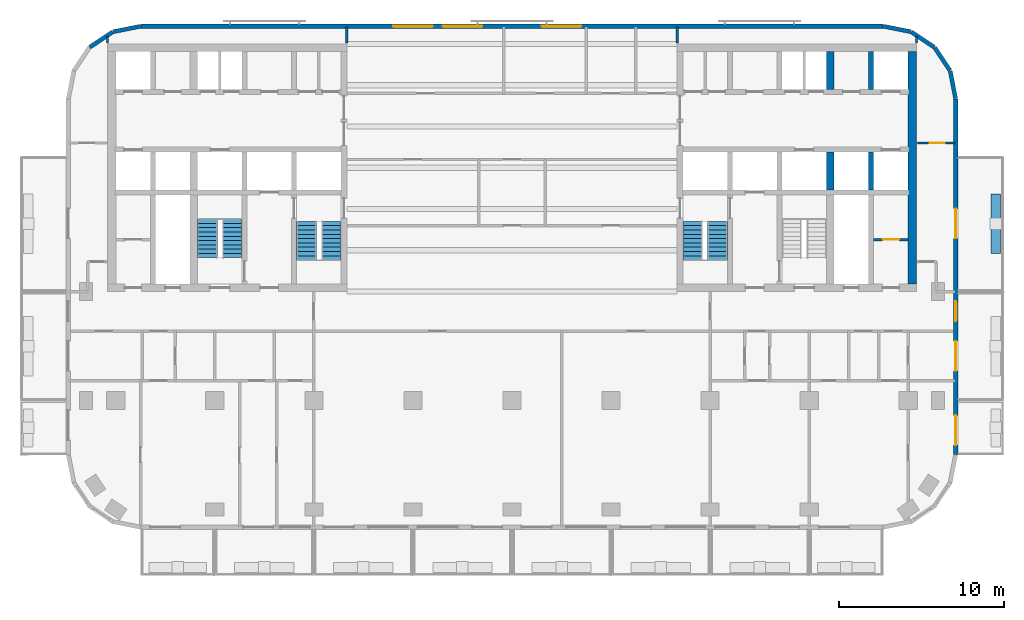
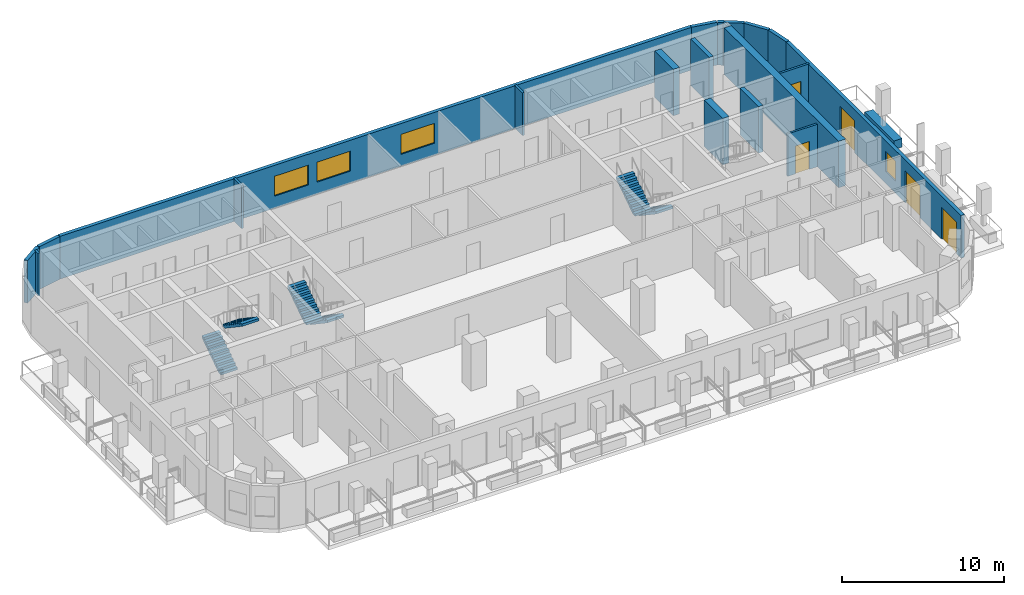
# One storey, part 7 of 11: 20 walls, 6 stair flights, 5 doors, 4 windows, 9 openings, 3 elements without a shape of their own.
"""IFC4 building model written with IfcOpenShell, lengths in metres."""

from ifc_helpers import new_model, si_unit, direction, frame, frame_2d, origin, place, context, subcontext, project, spatial, polyline, rectangle, outline, extrude, material, layer, layer_set, type_object, element, fill, aggregate, save


model = new_model("IFC4")

# Units and contexts
model_context = context("Model", 3, precision=1e-05, world=origin(), true_north=direction((0.0, 1.0)))
body_context = subcontext(model_context, "Body", "Model", "MODEL_VIEW")
ifc_project = project(units=[si_unit("LENGTHUNIT", "METRE"), si_unit("AREAUNIT", "SQUARE_METRE"), si_unit("VOLUMEUNIT", "CUBIC_METRE"), si_unit("PLANEANGLEUNIT", "RADIAN"), si_unit("MASSUNIT", "GRAM", prefix="KILO")], contexts=[model_context])

# Site, building, storey
site_placement = place(None, origin())
site = spatial("IfcSite", under=ifc_project, at=site_placement, CompositionType="ELEMENT")
building_placement = place(site_placement, origin())
building = spatial("IfcBuilding", under=site, at=building_placement, Name="Torana Hotel and Residences", CompositionType="ELEMENT")
storey_placement = place(building_placement, frame((0.0, 0.0, 204.60009765625)))
storey = spatial("IfcBuildingStorey", under=building, at=storey_placement, Name="L53", CompositionType="ELEMENT", Elevation=204.60009765625)

# Walls
ifc_material_1 = material(Name="Concrete C70/85", Category="concrete")
ifc_layer_1 = layer(ifc_material_1, 0.300048828125)
ifc_layer_set_1 = layer_set([ifc_layer_1], Name="CORE WALL 300 C70/85")
wall_type_1 = type_object("IfcWallType", Name="CORE WALL 300 C70/85", PredefinedType="SHEAR", material=ifc_layer_set_1)
for number, where, z_axis, x_axis, name in (
    (1, (21.75, -2.75, 0.0), (0.0, 0.0, 1.0), (0.0, 1.0, 0.0), "Core wall E mm-N"),
    (2, (21.75, -8.85009765625, 0.0), (0.0, 0.0, 1.0), (0.0, 1.0, 0.0), "Core wall E mm-S"),
):
    element("IfcWall", number, at=place(storey_placement, frame(where, z_axis=z_axis, x_axis=x_axis)), inside=storey, type_object=wall_type_1, Name=name, PredefinedType="SHEAR", context=body_context, shape_type="SweptSolid", body=[
        extrude(rectangle(XDim=2.300048828125, YDim=0.300048828125, at=frame_2d((1.14990234375, 0.0))), origin(), (0.0, 0.0, 1.0), 3.5),
    ])
ifc_material_2 = material(Name="Concrete C70/85", Category="concrete")
ifc_layer_2 = layer(ifc_material_2, 0.449951171875)
ifc_layer_set_2 = layer_set([ifc_layer_2], Name="CORE WALL 450 C70/85")
wall_type_2 = type_object("IfcWallType", Name="CORE WALL 450 C70/85", PredefinedType="SHEAR", material=ifc_layer_set_2)
for number, where, z_axis, x_axis, name in (
    (3, (19.27490234375, -2.75, 0.0), (0.0, 0.0, 1.0), (0.0, 1.0, 0.0), "Core wall E hm-N"),
    (4, (19.27490234375, -8.85009765625, 0.0), (0.0, 0.0, 1.0), (0.0, 1.0, 0.0), "Core wall E hm-S"),
):
    element("IfcWall", number, at=place(storey_placement, frame(where, z_axis=z_axis, x_axis=x_axis)), inside=storey, type_object=wall_type_2, Name=name, PredefinedType="SHEAR", context=body_context, shape_type="SweptSolid", body=[
        extrude(rectangle(XDim=2.300048828125, YDim=0.449951171875, at=frame_2d((1.14990234375, 0.0))), origin(), (0.0, 0.0, 1.0), 3.5),
    ])
ifc_material_3 = material(Name="Concrete C70/85", Category="concrete")
ifc_layer_3 = layer(ifc_material_3, 0.5)
ifc_layer_set_3 = layer_set([ifc_layer_3], Name="CORE WALL 500 C70/85")
wall_type_3 = type_object("IfcWallType", Name="CORE WALL 500 C70/85", PredefinedType="SHEAR", material=ifc_layer_set_3)
wall_1_placement = place(storey_placement, frame((24.25, -14.550048828125, 0.0), z_axis=(0.0, 0.0, 1.0), x_axis=(0.0, 1.0, 0.0)))
element("IfcWall", 5, at=wall_1_placement, inside=storey, type_object=wall_type_3, Name="Core wall E outer", PredefinedType="SHEAR", context=body_context, shape_type="SweptSolid", body=[
    extrude(rectangle(XDim=14.10009765625, YDim=0.5, at=frame_2d((7.050048828125, 0.0))), origin(), (0.0, 0.0, 1.0), 3.5),
])
ifc_material_4 = material(Name="Black aluminium composite panel", Category="aluminium")
ifc_layer_4 = layer(ifc_material_4, 0.00390625, Name="Cladding", Category="cladding")
ifc_material_5 = material(Name="Ventilated air cavity")
ifc_layer_5 = layer(ifc_material_5, 0.0400390625, Name="Ventilated cavity", Category="cavity")
ifc_material_6 = material(Name="Mineral wool insulation")
ifc_layer_6 = layer(ifc_material_6, 0.090087890625, Name="Insulation", Category="insulation")
ifc_material_7 = material(Name="Steel S280GD", Category="steel")
ifc_layer_7 = layer(ifc_material_7, 0.092041015625, Name="Steel stud frame", Category="structure")
ifc_material_8 = material(Name="Fire rated plasterboard")
ifc_layer_8 = layer(ifc_material_8, 0.011962890625, Name="Inner board", Category="finish")
ifc_layer_9 = layer(ifc_material_8, 0.011962890625, Name="Second board", Category="finish")
ifc_layer_set_4 = layer_set([ifc_layer_4, ifc_layer_5, ifc_layer_6, ifc_layer_7, ifc_layer_8, ifc_layer_9], Name="EW1 EXTERNAL WALL BLACK METAL CLAD 250")
wall_type_4 = type_object("IfcWallType", Name="EW1 EXTERNAL WALL BLACK METAL CLAD 250", PredefinedType="SOLIDWALL", material=ifc_layer_set_4)
wall_2_placement = place(storey_placement, frame((26.87255859375, -3.30029296875, 0.0), z_axis=(0.0, 0.0, 1.0), x_axis=(-0.194999110559, 0.980803419081, 0.0)))
element("IfcWall", 6, at=wall_2_placement, inside=storey, type_object=wall_type_4, Name="External wall L53 e0.0", PredefinedType="SOLIDWALL", context=body_context, shape_type="SweptSolid", body=[
    extrude(rectangle(XDim=1.681396484375, YDim=0.25, at=frame_2d((0.8408203125, 0.0))), origin(), (0.0, 0.0, 1.0), 3.219970703125),
])
for number, where, z_axis, x_axis, name in (
    (7, (26.52587890625, -1.60595703125, 0.0), (0.0, 0.0, 1.0), (-0.55555029066, 0.831482937015, 0.0), "External wall L53 e0.1"),
    (8, (25.5712890625, -0.1943359375, 0.0), (0.0, 0.0, 1.0), (-0.831482937015, 0.55555029066, 0.0), "External wall L53 e0.2"),
):
    element("IfcWall", number, at=place(storey_placement, frame(where, z_axis=z_axis, x_axis=x_axis)), inside=storey, type_object=wall_type_4, Name=name, PredefinedType="SOLIDWALL", context=body_context, shape_type="SweptSolid", body=[
        extrude(rectangle(XDim=1.65625, YDim=0.25, at=frame_2d((0.828125, 0.0))), origin(), (0.0, 0.0, 1.0), 3.219970703125),
    ])
for number, where, z_axis, x_axis, name in (
    (9, (24.14892578125, 0.74462890625, 0.0), (0.0, 0.0, 1.0), (-0.980803419081, 0.194999110559, 0.0), "External wall L53 e0.3"),
    (10, (-22.499755859375, 1.072509765625, 0.0), (0.0, 0.0, 1.0), (-0.980803419081, -0.194999110559, 0.0), "External wall L53 e0.5"),
):
    element("IfcWall", number, at=place(storey_placement, frame(where, z_axis=z_axis, x_axis=x_axis)), inside=storey, type_object=wall_type_4, Name=name, PredefinedType="SOLIDWALL", context=body_context, shape_type="SweptSolid", body=[
        extrude(rectangle(XDim=1.681396484375, YDim=0.25, at=frame_2d((0.8408203125, 0.0))), origin(), (0.0, 0.0, 1.0), 3.219970703125),
    ])
wall_3_placement = place(storey_placement, frame((-24.194091796875, 0.725830078125, 0.0), z_axis=(0.0, 0.0, 1.0), x_axis=(-0.831482937015, -0.55555029066, 0.0)))
element("IfcWall", 11, at=wall_3_placement, inside=storey, type_object=wall_type_4, Name="External wall L53 e0.6", PredefinedType="SOLIDWALL", context=body_context, shape_type="SweptSolid", body=[
    extrude(rectangle(XDim=1.65625, YDim=0.25, at=frame_2d((0.828125, 0.0))), origin(), (0.0, 0.0, 1.0), 3.219970703125),
])

# Wall, openings, doors, window
wall_4_placement = place(storey_placement, frame((26.875, -24.87548828125, 0.0), z_axis=(0.0, 0.0, 1.0), x_axis=(0.0, 1.0, 0.0)))
wall_4 = element("IfcWall", 12, at=wall_4_placement, inside=storey, type_object=wall_type_4, Name="External wall L53 e0.19", PredefinedType="SOLIDWALL", context=body_context, shape_type="SweptSolid", body=[
    extrude(rectangle(XDim=21.55078125, YDim=0.25, at=frame_2d((10.775390625, 0.0))), origin(), (0.0, 0.0, 1.0), 3.219970703125),
])
opening_1_placement = place(wall_4_placement, frame((0.575439453125, 0.0, 0.0)))
opening_1 = element("IfcOpeningElement", 13, at=opening_1_placement, cuts=wall_4, Name="Opening L53-E09", PredefinedType="OPENING", context=body_context, shape_type="SweptSolid", body=[
    extrude(rectangle(XDim=1.800048828125, YDim=2.39990234375, at=frame_2d((0.89990234375, 1.199951171875))), frame((0.0, 0.135009765625, 0.0), z_axis=(0.0, -1.0, 0.0), x_axis=(1.0, 0.0, 0.0)), (0.0, 0.0, 1.0), 0.27001953125),
])
opening_2_placement = place(wall_4_placement, frame((5.075439453125, 0.0, 0.0)))
opening_2 = element("IfcOpeningElement", 14, at=opening_2_placement, cuts=wall_4, Name="Opening L53-E10", PredefinedType="OPENING", context=body_context, shape_type="SweptSolid", body=[
    extrude(rectangle(XDim=1.800048828125, YDim=2.39990234375, at=frame_2d((0.89990234375, 1.199951171875))), frame((0.0, 0.135009765625, 0.0), z_axis=(0.0, -1.0, 0.0), x_axis=(1.0, 0.0, 0.0)), (0.0, 0.0, 1.0), 0.27001953125),
])
opening_3_placement = place(wall_4_placement, frame((8.075439453125, 0.0, 0.89990234375)))
opening_3 = element("IfcOpeningElement", 15, at=opening_3_placement, cuts=wall_4, Name="Opening W5", PredefinedType="OPENING", context=body_context, shape_type="SweptSolid", body=[
    extrude(rectangle(XDim=1.199951171875, YDim=1.5, at=frame_2d((0.60009765625, 0.75))), frame((0.0, 0.135009765625, 0.0), z_axis=(0.0, -1.0, 0.0), x_axis=(1.0, 0.0, 0.0)), (0.0, 0.0, 1.0), 0.27001953125),
])
opening_4_placement = place(wall_4_placement, frame((13.100341796875, 0.0, 0.0)))
opening_4 = element("IfcOpeningElement", 16, at=opening_4_placement, cuts=wall_4, Name="Opening L53-E11", PredefinedType="OPENING", context=body_context, shape_type="SweptSolid", body=[
    extrude(rectangle(XDim=1.800048828125, YDim=2.39990234375, at=frame_2d((0.89990234375, 1.199951171875))), frame((0.0, 0.135009765625, 0.0), z_axis=(0.0, -1.0, 0.0), x_axis=(1.0, 0.0, 0.0)), (0.0, 0.0, 1.0), 0.27001953125),
])
ifc_material_9 = material(Name="Dark glass in black aluminium frame", Category="aluminium")
door_type_1 = type_object("IfcDoorType", Name="DB1 BALCONY DOOR 1800x2400", OperationType="DOUBLE_DOOR_SINGLE_SWING", PredefinedType="DOOR", material=ifc_material_9)
door_1_placement = place(opening_1_placement, origin())
door_1 = element("IfcDoor", 17, at=door_1_placement, inside=storey, type_object=door_type_1, Name="Balcony door L53", OperationType="DOUBLE_DOOR_SINGLE_SWING", OverallHeight=2.39990234375, OverallWidth=1.800048828125, PredefinedType="DOOR", context=body_context, shape_type="SweptSolid", body=[
    extrude(rectangle(XDim=1.800048828125, YDim=2.39990234375, at=frame_2d((0.89990234375, 1.199951171875))), frame((0.0, 0.02490234375, 0.0), z_axis=(0.0, -1.0, 0.0), x_axis=(1.0, 0.0, 0.0)), (0.0, 0.0, 1.0), 0.050048828125),
])
fill(opening_1, door_1)
door_2_placement = place(opening_2_placement, origin())
door_2 = element("IfcDoor", 18, at=door_2_placement, inside=storey, type_object=door_type_1, Name="Balcony door L53", OperationType="DOUBLE_DOOR_SINGLE_SWING", OverallHeight=2.39990234375, OverallWidth=1.800048828125, PredefinedType="DOOR", context=body_context, shape_type="SweptSolid", body=[
    extrude(rectangle(XDim=1.800048828125, YDim=2.39990234375, at=frame_2d((0.89990234375, 1.199951171875))), frame((0.0, 0.02490234375, 0.0), z_axis=(0.0, -1.0, 0.0), x_axis=(1.0, 0.0, 0.0)), (0.0, 0.0, 1.0), 0.050048828125),
])
fill(opening_2, door_2)
door_3_placement = place(opening_4_placement, origin())
door_3 = element("IfcDoor", 19, at=door_3_placement, inside=storey, type_object=door_type_1, Name="Balcony door L53", OperationType="DOUBLE_DOOR_SINGLE_SWING", OverallHeight=2.39990234375, OverallWidth=1.800048828125, PredefinedType="DOOR", context=body_context, shape_type="SweptSolid", body=[
    extrude(rectangle(XDim=1.800048828125, YDim=2.39990234375, at=frame_2d((0.89990234375, 1.199951171875))), frame((0.0, 0.02490234375, 0.0), z_axis=(0.0, -1.0, 0.0), x_axis=(1.0, 0.0, 0.0)), (0.0, 0.0, 1.0), 0.050048828125),
])
fill(opening_4, door_3)
ifc_material_10 = material(Name="Dark glass in black aluminium frame", Category="aluminium")
window_type_1 = type_object("IfcWindowType", Name="W5 CORNER FACET WINDOW 1200x1500", PartitioningType="SINGLE_PANEL", PredefinedType="WINDOW", material=ifc_material_10)
window_1_placement = place(opening_3_placement, origin())
window_1 = element("IfcWindow", 20, at=window_1_placement, inside=storey, type_object=window_type_1, Name="Window L53", OverallHeight=1.5, OverallWidth=1.199951171875, PartitioningType="SINGLE_PANEL", PredefinedType="WINDOW", context=body_context, shape_type="SweptSolid", body=[
    extrude(rectangle(XDim=1.199951171875, YDim=1.5, at=frame_2d((0.60009765625, 0.75))), frame((0.0, 0.030029296875, 0.0), z_axis=(0.0, -1.0, 0.0), x_axis=(1.0, 0.0, 0.0)), (0.0, 0.0, 1.0), 0.06005859375),
])
fill(opening_3, window_1)

# Wall, openings, windows
ifc_material_11 = material(Name="Concrete C40/50 precast", Category="concrete")
ifc_layer_10 = layer(ifc_material_11, 0.10009765625, Name="Perforated block", Category="cladding")
ifc_material_12 = material(Name="Air cavity")
ifc_layer_11 = layer(ifc_material_12, 0.030029296875, Name="Cavity", Category="cavity")
ifc_material_13 = material(Name="Concrete C40/50", Category="concrete")
ifc_layer_12 = layer(ifc_material_13, 0.10009765625, Name="Wall", Category="structure")
ifc_material_14 = material(Name="Plaster and paint")
ifc_layer_13 = layer(ifc_material_14, 0.02001953125, Name="Inner finish", Category="finish")
ifc_layer_set_5 = layer_set([ifc_layer_10, ifc_layer_11, ifc_layer_12, ifc_layer_13], Name="EW2 PERFORATED BLOCK SCREEN WALL 250")
wall_type_5 = type_object("IfcWallType", Name="EW2 PERFORATED BLOCK SCREEN WALL 250", PredefinedType="SOLIDWALL", material=ifc_layer_set_5)
wall_5_placement = place(storey_placement, frame((22.475341796875, 1.074951171875, 0.0), z_axis=(0.0, 0.0, 1.0), x_axis=(-1.0, 0.0, 0.0)))
wall_5 = element("IfcWall", 21, at=wall_5_placement, inside=storey, type_object=wall_type_5, Name="External wall L53 e0.4", PredefinedType="SOLIDWALL", context=body_context, shape_type="SweptSolid", body=[
    extrude(rectangle(XDim=44.95068359375, YDim=0.25, at=frame_2d((22.475341796875, 0.0))), origin(), (0.0, 0.0, 1.0), 3.219970703125),
])
opening_5_placement = place(wall_5_placement, frame((18.275390625, 0.0, 0.89990234375)))
opening_5 = element("IfcOpeningElement", 22, at=opening_5_placement, cuts=wall_5, Name="Opening W3", PredefinedType="OPENING", context=body_context, shape_type="SweptSolid", body=[
    extrude(rectangle(XDim=2.39990234375, YDim=1.5, at=frame_2d((1.199951171875, 0.75))), frame((0.0, 0.135009765625, 0.0), z_axis=(0.0, -1.0, 0.0), x_axis=(1.0, 0.0, 0.0)), (0.0, 0.0, 1.0), 0.27001953125),
])
opening_6_placement = place(wall_5_placement, frame((24.275390625, 0.0, 0.89990234375)))
opening_6 = element("IfcOpeningElement", 23, at=opening_6_placement, cuts=wall_5, Name="Opening W3", PredefinedType="OPENING", context=body_context, shape_type="SweptSolid", body=[
    extrude(rectangle(XDim=2.39990234375, YDim=1.5, at=frame_2d((1.199951171875, 0.75))), frame((0.0, 0.135009765625, 0.0), z_axis=(0.0, -1.0, 0.0), x_axis=(1.0, 0.0, 0.0)), (0.0, 0.0, 1.0), 0.27001953125),
])
opening_7_placement = place(wall_5_placement, frame((27.275390625, 0.0, 0.89990234375)))
opening_7 = element("IfcOpeningElement", 24, at=opening_7_placement, cuts=wall_5, Name="Opening W3", PredefinedType="OPENING", context=body_context, shape_type="SweptSolid", body=[
    extrude(rectangle(XDim=2.39990234375, YDim=1.5, at=frame_2d((1.199951171875, 0.75))), frame((0.0, 0.135009765625, 0.0), z_axis=(0.0, -1.0, 0.0), x_axis=(1.0, 0.0, 0.0)), (0.0, 0.0, 1.0), 0.27001953125),
])
ifc_material_15 = material(Name="Dark glass in black aluminium frame", Category="aluminium")
window_type_2 = type_object("IfcWindowType", Name="W3 RESIDENCE WINDOW 2400x1500", PartitioningType="SINGLE_PANEL", PredefinedType="WINDOW", material=ifc_material_15)
window_2_placement = place(opening_5_placement, origin())
window_2 = element("IfcWindow", 25, at=window_2_placement, inside=storey, type_object=window_type_2, Name="Window L53", OverallHeight=1.5, OverallWidth=2.39990234375, PartitioningType="SINGLE_PANEL", PredefinedType="WINDOW", context=body_context, shape_type="SweptSolid", body=[
    extrude(rectangle(XDim=2.39990234375, YDim=1.5, at=frame_2d((1.199951171875, 0.75))), frame((0.0, 0.030029296875, 0.0), z_axis=(0.0, -1.0, 0.0), x_axis=(1.0, 0.0, 0.0)), (0.0, 0.0, 1.0), 0.06005859375),
])
fill(opening_5, window_2)
window_3_placement = place(opening_6_placement, origin())
window_3 = element("IfcWindow", 26, at=window_3_placement, inside=storey, type_object=window_type_2, Name="Window L53", OverallHeight=1.5, OverallWidth=2.39990234375, PartitioningType="SINGLE_PANEL", PredefinedType="WINDOW", context=body_context, shape_type="SweptSolid", body=[
    extrude(rectangle(XDim=2.39990234375, YDim=1.5, at=frame_2d((1.199951171875, 0.75))), frame((0.0, 0.030029296875, 0.0), z_axis=(0.0, -1.0, 0.0), x_axis=(1.0, 0.0, 0.0)), (0.0, 0.0, 1.0), 0.06005859375),
])
fill(opening_6, window_3)
window_4_placement = place(opening_7_placement, origin())
window_4 = element("IfcWindow", 27, at=window_4_placement, inside=storey, type_object=window_type_2, Name="Window L53", OverallHeight=1.5, OverallWidth=2.39990234375, PartitioningType="SINGLE_PANEL", PredefinedType="WINDOW", context=body_context, shape_type="SweptSolid", body=[
    extrude(rectangle(XDim=2.39990234375, YDim=1.5, at=frame_2d((1.199951171875, 0.75))), frame((0.0, 0.030029296875, 0.0), z_axis=(0.0, -1.0, 0.0), x_axis=(1.0, 0.0, 0.0)), (0.0, 0.0, 1.0), 0.06005859375),
])
fill(opening_7, window_4)

# Wall, opening, door
ifc_material_16 = material(Name="Gypsum plaster")
ifc_layer_14 = layer(ifc_material_16, 0.014892578125, Name="Plaster", Category="finish")
ifc_material_17 = material(Name="Concrete blockwork", Category="masonry")
ifc_layer_15 = layer(ifc_material_17, 0.1201171875, Name="Blockwork", Category="structure")
ifc_layer_16 = layer(ifc_material_16, 0.014892578125, Name="Plaster", Category="finish")
ifc_layer_set_6 = layer_set([ifc_layer_14, ifc_layer_15, ifc_layer_16], Name="FIRE PARTITION 150 BLOCKWORK")
wall_type_6 = type_object("IfcWallType", Name="FIRE PARTITION 150 BLOCKWORK", PredefinedType="PARTITIONING", material=ifc_layer_set_6)
wall_6_placement = place(storey_placement, frame((21.89990234375, -11.85009765625, 0.0), z_axis=(0.0, 0.0, 1.0), x_axis=(1.0, 0.0, 0.0)))
wall_6 = element("IfcWall", 28, at=wall_6_placement, inside=storey, type_object=wall_type_6, Name="Core partition L53", PredefinedType="PARTITIONING", context=body_context, shape_type="SweptSolid", body=[
    extrude(rectangle(XDim=2.10009765625, YDim=0.14990234375, at=frame_2d((1.050048828125, 0.0))), origin(), (0.0, 0.0, 1.0), 3.199951171875),
])
opening_8_placement = place(wall_6_placement, frame((0.550048828125, 0.0, 0.0)))
opening_8 = element("IfcOpeningElement", 29, at=opening_8_placement, cuts=wall_6, Name="Opening L53-32", PredefinedType="OPENING", context=body_context, shape_type="SweptSolid", body=[
    extrude(rectangle(XDim=1.0, YDim=2.10009765625, at=frame_2d((0.5, 1.050048828125))), frame((0.0, 0.0849609375, 0.0), z_axis=(0.0, -1.0, 0.0), x_axis=(1.0, 0.0, 0.0)), (0.0, 0.0, 1.0), 0.169921875),
])
ifc_material_18 = material(Name="Steel S235", Category="steel")
door_type_2 = type_object("IfcDoorType", Name="CORE ROOM FIRE DOOR D14 1000x2100", OperationType="SINGLE_SWING_LEFT", PredefinedType="DOOR", material=ifc_material_18)
door_4_placement = place(opening_8_placement, origin())
door_4 = element("IfcDoor", 30, at=door_4_placement, inside=storey, type_object=door_type_2, Name="Plant room door L53", OperationType="SINGLE_SWING_RIGHT", OverallHeight=2.10009765625, OverallWidth=1.0, PredefinedType="DOOR", context=body_context, shape_type="SweptSolid", body=[
    extrude(rectangle(XDim=1.0, YDim=2.10009765625, at=frame_2d((0.5, 1.050048828125))), frame((0.0, 0.02490234375, 0.0), z_axis=(0.0, -1.0, 0.0), x_axis=(1.0, 0.0, 0.0)), (0.0, 0.0, 1.0), 0.050048828125),
])
fill(opening_8, door_4)

# Walls
ifc_material_19 = material(Name="Gypsum plasterboard")
ifc_layer_17 = layer(ifc_material_19, 0.012451171875, Name="Plasterboard", Category="finish")
ifc_layer_18 = layer(ifc_material_19, 0.012451171875, Name="Plasterboard", Category="finish")
ifc_layer_19 = layer(ifc_material_7, 0.10009765625, Name="Steel studs with mineral wool", Category="insulation")
ifc_layer_20 = layer(ifc_material_19, 0.012451171875, Name="Plasterboard", Category="finish")
ifc_layer_21 = layer(ifc_material_19, 0.012451171875, Name="Plasterboard", Category="finish")
ifc_layer_set_7 = layer_set([ifc_layer_17, ifc_layer_18, ifc_layer_19, ifc_layer_20, ifc_layer_21], Name="PARTITION 150 PLASTERBOARD")
wall_type_7 = type_object("IfcWallType", Name="PARTITION 150 PLASTERBOARD", PredefinedType="PARTITIONING", material=ifc_layer_set_7)
wall_7_placement = place(storey_placement, frame((24.5, 0.050048828125, 0.0), z_axis=(0.0, 0.0, 1.0), x_axis=(0.0, 1.0, 0.0)))
element("IfcWall", 31, at=wall_7_placement, inside=storey, type_object=wall_type_7, Name="Partition L53", PredefinedType="PARTITIONING", context=body_context, shape_type="SweptSolid", body=[
    extrude(rectangle(XDim=0.4052734375, YDim=0.14990234375, at=frame_2d((0.20263671875, 0.0))), origin(), (0.0, 0.0, 1.0), 3.219970703125),
])
wall_8_placement = place(storey_placement, frame((-10.0, 0.050048828125, 0.0), z_axis=(0.0, 0.0, 1.0), x_axis=(0.0, 1.0, 0.0)))
element("IfcWall", 32, at=wall_8_placement, inside=storey, type_object=wall_type_7, Name="Partition L53", PredefinedType="PARTITIONING", context=body_context, shape_type="SweptSolid", body=[
    extrude(rectangle(XDim=0.969970703125, YDim=0.14990234375, at=frame_2d((0.48486328125, 0.0))), origin(), (0.0, 0.0, 1.0), 3.219970703125),
])
wall_9_placement = place(storey_placement, frame((-24.5, 0.050048828125, 0.0), z_axis=(0.0, 0.0, 1.0), x_axis=(0.0, 1.0, 0.0)))
element("IfcWall", 33, at=wall_9_placement, inside=storey, type_object=wall_type_7, Name="Partition L53", PredefinedType="PARTITIONING", context=body_context, shape_type="SweptSolid", body=[
    extrude(rectangle(XDim=0.4052734375, YDim=0.14990234375, at=frame_2d((0.20263671875, 0.0))), origin(), (0.0, 0.0, 1.0), 3.219970703125),
])

# Wall, opening, door
wall_10_placement = place(storey_placement, frame((24.550048828125, -6.0, 0.0), z_axis=(0.0, 0.0, 1.0), x_axis=(1.0, 0.0, 0.0)))
wall_10 = element("IfcWall", 34, at=wall_10_placement, inside=storey, type_object=wall_type_7, Name="Partition L53", PredefinedType="PARTITIONING", context=body_context, shape_type="SweptSolid", body=[
    extrude(rectangle(XDim=2.27001953125, YDim=0.14990234375, at=frame_2d((1.135009765625, 0.0))), origin(), (0.0, 0.0, 1.0), 3.219970703125),
])
opening_9_placement = place(wall_10_placement, frame((0.75, 0.0, 0.0)))
opening_9 = element("IfcOpeningElement", 35, at=opening_9_placement, cuts=wall_10, Name="Opening L53-67", PredefinedType="OPENING", context=body_context, shape_type="SweptSolid", body=[
    extrude(rectangle(XDim=0.89990234375, YDim=2.10009765625, at=frame_2d((0.449951171875, 1.050048828125))), frame((0.0, 0.0849609375, 0.0), z_axis=(0.0, -1.0, 0.0), x_axis=(1.0, 0.0, 0.0)), (0.0, 0.0, 1.0), 0.169921875),
])
ifc_material_20 = material(Name="Timber door, oiled ash", Category="wood")
door_type_3 = type_object("IfcDoorType", Name="ROOM DOOR D7 900x2100", OperationType="SINGLE_SWING_LEFT", PredefinedType="DOOR", material=ifc_material_20)
door_5_placement = place(opening_9_placement, origin())
door_5 = element("IfcDoor", 36, at=door_5_placement, inside=storey, type_object=door_type_3, Name="Door L53", OperationType="SINGLE_SWING_LEFT", OverallHeight=2.10009765625, OverallWidth=0.89990234375, PredefinedType="DOOR", context=body_context, shape_type="SweptSolid", body=[
    extrude(rectangle(XDim=0.89990234375, YDim=2.10009765625, at=frame_2d((0.449951171875, 1.050048828125))), frame((0.0, 0.02490234375, 0.0), z_axis=(0.0, -1.0, 0.0), x_axis=(1.0, 0.0, 0.0)), (0.0, 0.0, 1.0), 0.050048828125),
])
fill(opening_9, door_5)

# Walls
ifc_layer_22 = layer(ifc_material_11, 0.10009765625, Name="Planter shell", Category="structure")
ifc_material_21 = material(Name="Root resistant membrane")
ifc_layer_23 = layer(ifc_material_21, 0.00390625, Name="Waterproofing membrane", Category="membrane")
ifc_material_22 = material(Name="Drainage board with filter fleece")
ifc_layer_24 = layer(ifc_material_22, 0.02001953125, Name="Drainage board", Category="drainage")
ifc_material_23 = material(Name="Growing medium")
ifc_layer_25 = layer(ifc_material_23, 0.47607421875, Name="Planting substrate", Category="soil")
ifc_layer_set_8 = layer_set([ifc_layer_22, ifc_layer_23, ifc_layer_24, ifc_layer_25], Name="PL1 BALCONY PLANTER 600")
wall_type_8 = type_object("IfcWallType", Name="PL1 BALCONY PLANTER 600", PredefinedType="USERDEFINED", material=ifc_layer_set_8)
wall_11_placement = place(storey_placement, frame((29.300048828125, -9.10009765625, 0.0), z_axis=(0.0, 0.0, 1.0), x_axis=(0.0, -1.0, 0.0)))
element("IfcWall", 37, at=wall_11_placement, inside=storey, type_object=wall_type_8, Name="Planter 14", ObjectType="PLANTER", PredefinedType="USERDEFINED", context=body_context, shape_type="SweptSolid", body=[
    extrude(rectangle(XDim=3.599853515625, YDim=0.60009765625, at=frame_2d((1.7998046875, 0.0))), origin(), (0.0, 0.0, 1.0), 0.64990234375),
])
ifc_material_24 = material(Name="Ceramic tile on adhesive")
ifc_layer_26 = layer(ifc_material_24, 0.010009765625, Name="Wall tile", Category="finish")
ifc_material_25 = material(Name="Cement render")
ifc_layer_27 = layer(ifc_material_25, 0.010009765625, Name="Render", Category="finish")
ifc_layer_28 = layer(ifc_material_17, 0.110107421875, Name="Blockwork", Category="structure")
ifc_layer_29 = layer(ifc_material_25, 0.010009765625, Name="Render", Category="finish")
ifc_layer_30 = layer(ifc_material_24, 0.010009765625, Name="Wall tile", Category="finish")
ifc_layer_set_9 = layer_set([ifc_layer_26, ifc_layer_27, ifc_layer_28, ifc_layer_29, ifc_layer_30], Name="WC PARTITION 150")
wall_type_9 = type_object("IfcWallType", Name="WC PARTITION 150", PredefinedType="PLUMBINGWALL", material=ifc_layer_set_9)
wall_12_placement = place(storey_placement, frame((10.0, 0.050048828125, 0.0), z_axis=(0.0, 0.0, 1.0), x_axis=(0.0, 1.0, 0.0)))
element("IfcWall", 38, at=wall_12_placement, inside=storey, type_object=wall_type_9, Name="Partition L53", PredefinedType="PLUMBINGWALL", context=body_context, shape_type="SweptSolid", body=[
    extrude(rectangle(XDim=0.969970703125, YDim=0.14990234375, at=frame_2d((0.48486328125, 0.0))), origin(), (0.0, 0.0, 1.0), 3.219970703125),
])

# Stair, stair flights
ifc_material_26 = material(Name="Concrete C40/50 precast", Category="concrete")
stair_type_1 = type_object("IfcStairType", Name="STAIR ST1 HALF TURN 1200", PredefinedType="HALF_TURN_STAIR", material=ifc_material_26)
stair_1_placement = place(storey_placement, origin())
stair_1 = element("IfcStair", 39, at=stair_1_placement, inside=storey, type_object=stair_type_1, Name="Stair ST1 L53", PredefinedType="HALF_TURN_STAIR")
ifc_material_27 = material(Name="Concrete C40/50 precast", Category="concrete")
stair_flight_type = type_object("IfcStairFlightType", Name="STAIR FLIGHT 1200 PRECAST", PredefinedType="STRAIGHT", material=ifc_material_27)
stair_flight_1_placement = place(storey_placement, frame((-10.949951171875, -10.75, 0.0), z_axis=(0.0, 0.0, 1.0), x_axis=(0.0, -1.0, 0.0)))
stair_flight_1 = element("IfcStairFlight", 40, at=stair_flight_1_placement, type_object=stair_flight_type, Name="ST1 flight 1", NumberOfRisers=10, NumberOfTreads=9, PredefinedType="STRAIGHT", RiserHeight=0.175, TreadLength=0.26, context=body_context, shape_type="SweptSolid", body=[
    extrude(outline(polyline([(0.0, 0.0), (0.0, 0.175048828125), (0.260009765625, 0.175048828125), (0.260009765625, 0.35009765625), (0.52001953125, 0.35009765625), (0.52001953125, 0.52490234375), (0.780029296875, 0.52490234375), (0.780029296875, 0.699951171875), (1.0400390625, 0.699951171875), (1.0400390625, 0.875), (1.300048828125, 0.875), (1.300048828125, 1.050048828125), (1.56005859375, 1.050048828125), (1.56005859375, 1.22509765625), (1.820068359375, 1.22509765625), (1.820068359375, 1.39990234375), (2.080078125, 1.39990234375), (2.080078125, 1.574951171875), (2.340087890625, 1.574951171875), (2.340087890625, 1.75), (2.340087890625, 1.394287109375), (0.2685546875, 0.0), (0.0, 0.0)])), frame((0.0, 0.60009765625, 0.0), z_axis=(0.0, -1.0, 0.0), x_axis=(1.0, 0.0, 0.0)), (0.0, 0.0, 1.0), 1.199951171875),
])
stair_flight_2_placement = place(storey_placement, frame((-12.449951171875, -13.090087890625, 1.75), z_axis=(0.0, 0.0, 1.0), x_axis=(0.0, 1.0, 0.0)))
stair_flight_2 = element("IfcStairFlight", 41, at=stair_flight_2_placement, type_object=stair_flight_type, Name="ST1 flight 2", NumberOfRisers=10, NumberOfTreads=9, PredefinedType="STRAIGHT", RiserHeight=0.175, TreadLength=0.26, context=body_context, shape_type="SweptSolid", body=[
    extrude(outline(polyline([(0.0, 0.0), (0.0, 0.175048828125), (0.260009765625, 0.175048828125), (0.260009765625, 0.35009765625), (0.52001953125, 0.35009765625), (0.52001953125, 0.52490234375), (0.780029296875, 0.52490234375), (0.780029296875, 0.699951171875), (1.0400390625, 0.699951171875), (1.0400390625, 0.875), (1.300048828125, 0.875), (1.300048828125, 1.050048828125), (1.56005859375, 1.050048828125), (1.56005859375, 1.22509765625), (1.820068359375, 1.22509765625), (1.820068359375, 1.39990234375), (2.080078125, 1.39990234375), (2.080078125, 1.574951171875), (2.340087890625, 1.574951171875), (2.340087890625, 1.75), (2.340087890625, 1.394287109375), (0.2685546875, 0.0), (0.0, 0.0)])), frame((0.0, 0.60009765625, 0.0), z_axis=(0.0, -1.0, 0.0), x_axis=(1.0, 0.0, 0.0)), (0.0, 0.0, 1.0), 1.199951171875),
])
aggregate(stair_1, [stair_flight_1, stair_flight_2])

ifc_material_28 = material(Name="Concrete C40/50 precast", Category="concrete")
stair_type_2 = type_object("IfcStairType", Name="STAIR ST2 HALF TURN 1200", PredefinedType="HALF_TURN_STAIR", material=ifc_material_28)
stair_2_placement = place(storey_placement, origin())
stair_2 = element("IfcStair", 42, at=stair_2_placement, inside=storey, type_object=stair_type_2, Name="Stair ST2 L53", PredefinedType="HALF_TURN_STAIR")
stair_flight_3_placement = place(storey_placement, frame((-18.449951171875, -12.949951171875, 0.0), z_axis=(0.0, 0.0, 1.0), x_axis=(0.0, 1.0, 0.0)))
stair_flight_3 = element("IfcStairFlight", 43, at=stair_flight_3_placement, type_object=stair_flight_type, Name="ST2 flight 1", NumberOfRisers=10, NumberOfTreads=9, PredefinedType="STRAIGHT", RiserHeight=0.175, TreadLength=0.26, context=body_context, shape_type="SweptSolid", body=[
    extrude(outline(polyline([(0.0, 0.0), (0.0, 0.175048828125), (0.260009765625, 0.175048828125), (0.260009765625, 0.35009765625), (0.52001953125, 0.35009765625), (0.52001953125, 0.52490234375), (0.780029296875, 0.52490234375), (0.780029296875, 0.699951171875), (1.0400390625, 0.699951171875), (1.0400390625, 0.875), (1.300048828125, 0.875), (1.300048828125, 1.050048828125), (1.56005859375, 1.050048828125), (1.56005859375, 1.22509765625), (1.820068359375, 1.22509765625), (1.820068359375, 1.39990234375), (2.080078125, 1.39990234375), (2.080078125, 1.574951171875), (2.340087890625, 1.574951171875), (2.340087890625, 1.75), (2.340087890625, 1.394287109375), (0.2685546875, 0.0), (0.0, 0.0)])), frame((0.0, 0.60009765625, 0.0), z_axis=(0.0, -1.0, 0.0), x_axis=(1.0, 0.0, 0.0)), (0.0, 0.0, 1.0), 1.199951171875),
])
stair_flight_4_placement = place(storey_placement, frame((-16.949951171875, -10.610107421875, 1.75), z_axis=(0.0, 0.0, 1.0), x_axis=(0.0, -1.0, 0.0)))
stair_flight_4 = element("IfcStairFlight", 44, at=stair_flight_4_placement, type_object=stair_flight_type, Name="ST2 flight 2", NumberOfRisers=10, NumberOfTreads=9, PredefinedType="STRAIGHT", RiserHeight=0.175, TreadLength=0.26, context=body_context, shape_type="SweptSolid", body=[
    extrude(outline(polyline([(0.0, 0.0), (0.0, 0.175048828125), (0.260009765625, 0.175048828125), (0.260009765625, 0.35009765625), (0.52001953125, 0.35009765625), (0.52001953125, 0.52490234375), (0.780029296875, 0.52490234375), (0.780029296875, 0.699951171875), (1.0400390625, 0.699951171875), (1.0400390625, 0.875), (1.300048828125, 0.875), (1.300048828125, 1.050048828125), (1.56005859375, 1.050048828125), (1.56005859375, 1.22509765625), (1.820068359375, 1.22509765625), (1.820068359375, 1.39990234375), (2.080078125, 1.39990234375), (2.080078125, 1.574951171875), (2.340087890625, 1.574951171875), (2.340087890625, 1.75), (2.340087890625, 1.394287109375), (0.2685546875, 0.0), (0.0, 0.0)])), frame((0.0, 0.60009765625, 0.0), z_axis=(0.0, -1.0, 0.0), x_axis=(1.0, 0.0, 0.0)), (0.0, 0.0, 1.0), 1.199951171875),
])
aggregate(stair_2, [stair_flight_3, stair_flight_4])

ifc_material_29 = material(Name="Concrete C40/50 precast", Category="concrete")
stair_type_3 = type_object("IfcStairType", Name="STAIR ST3 HALF TURN 1200", PredefinedType="HALF_TURN_STAIR", material=ifc_material_29)
stair_3_placement = place(storey_placement, origin())
stair_3 = element("IfcStair", 45, at=stair_3_placement, inside=storey, type_object=stair_type_3, Name="Stair ST3 L53", PredefinedType="HALF_TURN_STAIR")
stair_flight_5_placement = place(storey_placement, frame((12.449951171875, -10.75, 0.0), z_axis=(0.0, 0.0, 1.0), x_axis=(0.0, -1.0, 0.0)))
stair_flight_5 = element("IfcStairFlight", 46, at=stair_flight_5_placement, type_object=stair_flight_type, Name="ST3 flight 1", NumberOfRisers=10, NumberOfTreads=9, PredefinedType="STRAIGHT", RiserHeight=0.175, TreadLength=0.26, context=body_context, shape_type="SweptSolid", body=[
    extrude(outline(polyline([(0.0, 0.0), (0.0, 0.175048828125), (0.260009765625, 0.175048828125), (0.260009765625, 0.35009765625), (0.52001953125, 0.35009765625), (0.52001953125, 0.52490234375), (0.780029296875, 0.52490234375), (0.780029296875, 0.699951171875), (1.0400390625, 0.699951171875), (1.0400390625, 0.875), (1.300048828125, 0.875), (1.300048828125, 1.050048828125), (1.56005859375, 1.050048828125), (1.56005859375, 1.22509765625), (1.820068359375, 1.22509765625), (1.820068359375, 1.39990234375), (2.080078125, 1.39990234375), (2.080078125, 1.574951171875), (2.340087890625, 1.574951171875), (2.340087890625, 1.75), (2.340087890625, 1.394287109375), (0.2685546875, 0.0), (0.0, 0.0)])), frame((0.0, 0.60009765625, 0.0), z_axis=(0.0, -1.0, 0.0), x_axis=(1.0, 0.0, 0.0)), (0.0, 0.0, 1.0), 1.199951171875),
])
stair_flight_6_placement = place(storey_placement, frame((10.949951171875, -13.090087890625, 1.75), z_axis=(0.0, 0.0, 1.0), x_axis=(0.0, 1.0, 0.0)))
stair_flight_6 = element("IfcStairFlight", 47, at=stair_flight_6_placement, type_object=stair_flight_type, Name="ST3 flight 2", NumberOfRisers=10, NumberOfTreads=9, PredefinedType="STRAIGHT", RiserHeight=0.175, TreadLength=0.26, context=body_context, shape_type="SweptSolid", body=[
    extrude(outline(polyline([(0.0, 0.0), (0.0, 0.175048828125), (0.260009765625, 0.175048828125), (0.260009765625, 0.35009765625), (0.52001953125, 0.35009765625), (0.52001953125, 0.52490234375), (0.780029296875, 0.52490234375), (0.780029296875, 0.699951171875), (1.0400390625, 0.699951171875), (1.0400390625, 0.875), (1.300048828125, 0.875), (1.300048828125, 1.050048828125), (1.56005859375, 1.050048828125), (1.56005859375, 1.22509765625), (1.820068359375, 1.22509765625), (1.820068359375, 1.39990234375), (2.080078125, 1.39990234375), (2.080078125, 1.574951171875), (2.340087890625, 1.574951171875), (2.340087890625, 1.75), (2.340087890625, 1.394287109375), (0.2685546875, 0.0), (0.0, 0.0)])), frame((0.0, 0.60009765625, 0.0), z_axis=(0.0, -1.0, 0.0), x_axis=(1.0, 0.0, 0.0)), (0.0, 0.0, 1.0), 1.199951171875),
])
aggregate(stair_3, [stair_flight_5, stair_flight_6])

save(model, "model.ifc")
